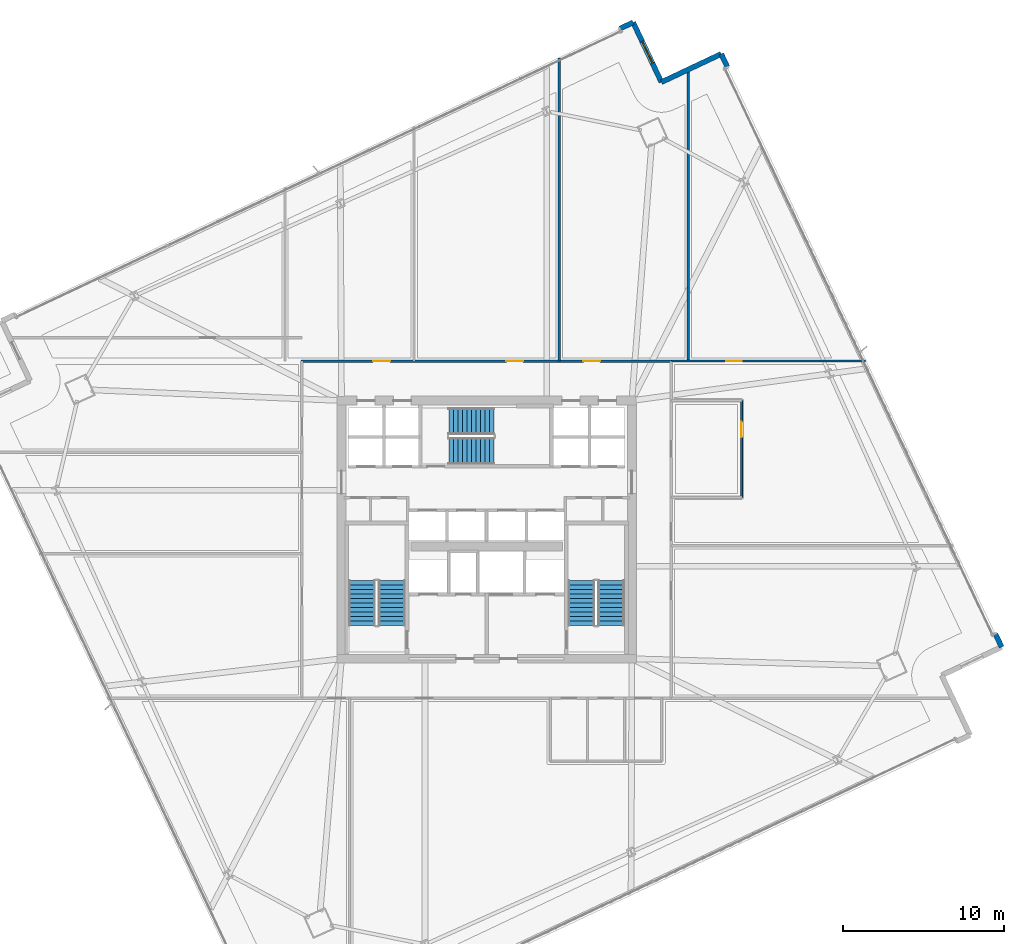
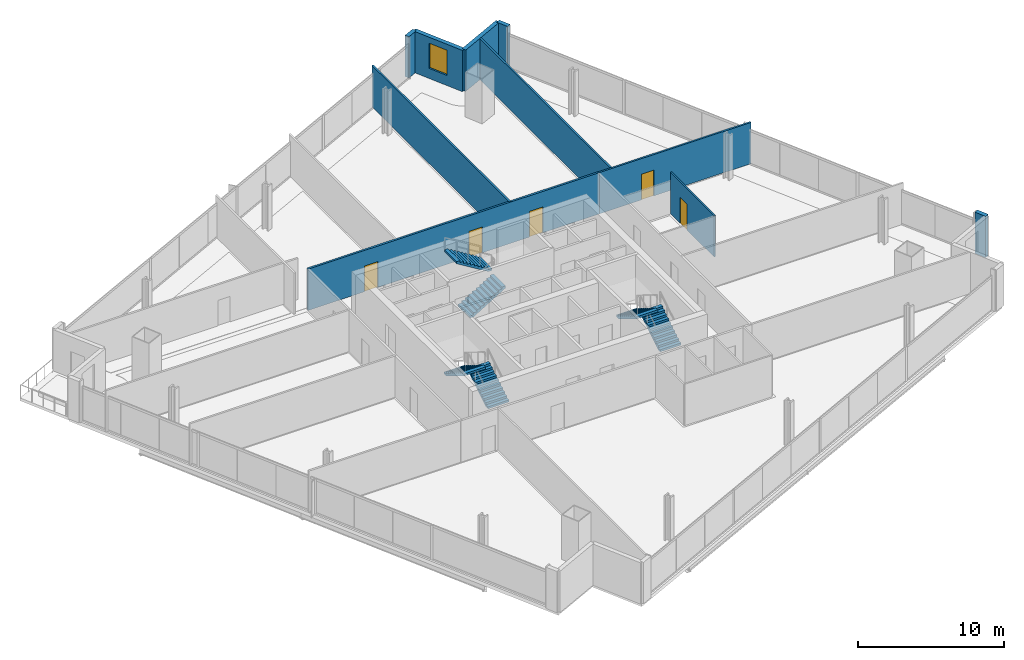
# One storey, part 28 of 34: 10 walls, 6 stair flights, 5 doors, 1 window, 6 openings, 3 elements without a shape of their own.
"""IFC4 building model written with IfcOpenShell, lengths in metres."""

from ifc_helpers import new_model, si_unit, direction, frame, frame_2d, origin, place, context, subcontext, project, spatial, polyline, rectangle, outline, extrude, material, layer, layer_set, type_object, element, fill, aggregate, save


model = new_model("IFC4")

# Units and contexts
model_context = context("Model", 3, precision=1e-05, world=origin(), true_north=direction((0.0, 1.0)))
body_context = subcontext(model_context, "Body", "Model", "MODEL_VIEW")
ifc_project = project(units=[si_unit("LENGTHUNIT", "METRE"), si_unit("AREAUNIT", "SQUARE_METRE"), si_unit("VOLUMEUNIT", "CUBIC_METRE"), si_unit("PLANEANGLEUNIT", "RADIAN"), si_unit("MASSUNIT", "GRAM", prefix="KILO")], contexts=[model_context])

# Site, building, storey
site_placement = place(None, origin())
site = spatial("IfcSite", under=ifc_project, at=site_placement, CompositionType="ELEMENT")
building_placement = place(site_placement, origin())
building = spatial("IfcBuilding", under=site, at=building_placement, Name="Haldenkirk Collegiate Tower", CompositionType="ELEMENT")
storey_placement = place(building_placement, frame((0.0, 0.0, 112.949951171875)))
storey = spatial("IfcBuildingStorey", under=building, at=storey_placement, Name="L27", CompositionType="ELEMENT", Elevation=112.949951171875)

# Walls
ifc_material_1 = material(Name="Precast concrete f'c 40 MPa", Category="concrete")
ifc_layer_1 = layer(ifc_material_1, 0.320068359375)
ifc_layer_set_1 = layer_set([ifc_layer_1], Name="Precast concrete f'c 40 MPa")
wall_type_1 = type_object("IfcWallType", Name="WL-EXT-TWR-320", PredefinedType="STANDARD", material=ifc_layer_set_1)
for number, where, z_axis, x_axis, name in (
    (1, (50.540771484375, 55.492919921875, 0.0), (0.0, 0.0, 1.0), (0.427246580432, -0.904135144494, 0.0), "L27 precast corner pier EL"),
    (2, (67.538818359375, 19.533203125, 0.0), (0.0, 0.0, 1.0), (0.427246580432, -0.904135144494, 0.0), "L27 precast corner pier ER"),
):
    element("IfcWall", number, at=place(storey_placement, frame(where, z_axis=z_axis, x_axis=x_axis)), inside=storey, type_object=wall_type_1, Name=name, PredefinedType="STANDARD", context=body_context, shape_type="SweptSolid", body=[
        extrude(rectangle(XDim=0.89990234375, YDim=0.320068359375, at=frame_2d((0.449951171875, 0.0))), origin(), (0.0, 0.0, 1.0), 3.449951171875),
    ])
wall_1_placement = place(storey_placement, frame((46.833984375, 53.74072265625, 0.0), z_axis=(0.0, 0.0, 1.0), x_axis=(0.904081887543, 0.427359264105, 0.0)))
element("IfcWall", 3, at=wall_1_placement, inside=storey, type_object=wall_type_1, Name="L27 bronze precast notch wall 05", PredefinedType="STANDARD", context=body_context, shape_type="SweptSolid", body=[
    extrude(rectangle(XDim=4.10009765625, YDim=0.320068359375, at=frame_2d((2.050048828125, 0.0))), origin(), (0.0, 0.0, 1.0), 3.449951171875),
])

# Wall, opening, window
wall_2_placement = place(storey_placement, frame((45.081787109375, 57.447509765625, 0.0), z_axis=(0.0, 0.0, 1.0), x_axis=(0.427359264105, -0.904081887543, 0.0)))
wall_2 = element("IfcWall", 4, at=wall_2_placement, inside=storey, type_object=wall_type_1, Name="L27 bronze precast notch wall 06", PredefinedType="STANDARD", context=body_context, shape_type="SweptSolid", body=[
    extrude(rectangle(XDim=4.10009765625, YDim=0.320068359375, at=frame_2d((2.050048828125, 0.0))), origin(), (0.0, 0.0, 1.0), 3.449951171875),
])
opening_1_placement = place(wall_2_placement, frame((1.300048828125, 0.0, 0.85009765625)))
opening_1 = element("IfcOpeningElement", 5, at=opening_1_placement, cuts=wall_2, Name="Opening W-04", PredefinedType="OPENING", context=body_context, shape_type="SweptSolid", body=[
    extrude(rectangle(XDim=1.5, YDim=2.10009765625, at=frame_2d((0.75, 1.050048828125))), frame((0.0, 0.169921875, 0.0), z_axis=(0.0, -1.0, 0.0), x_axis=(1.0, 0.0, 0.0)), (0.0, 0.0, 1.0), 0.340087890625),
])
ifc_material_2 = material(Name="Low-E argon triple insulating glass", Category="glass")
ifc_layer_2 = layer(ifc_material_2, 0.090087890625)
ifc_layer_set_2 = layer_set([ifc_layer_2], Name="Low-E argon triple insulating glass")
window_type = type_object("IfcWindowType", Name="WN-Z2-1500X2100", PartitioningType="SINGLE_PANEL", PredefinedType="WINDOW", material=ifc_layer_set_2)
window_placement = place(opening_1_placement, origin())
window = element("IfcWindow", 6, at=window_placement, inside=storey, type_object=window_type, Name="L27 precast-frame academic window 5", OverallHeight=2.10009765625, OverallWidth=1.5, PartitioningType="SINGLE_PANEL", PredefinedType="WINDOW", context=body_context, shape_type="SweptSolid", body=[
    extrude(rectangle(XDim=1.5, YDim=2.10009765625, at=frame_2d((0.75, 1.050048828125))), frame((0.0, 0.030029296875, 0.0), z_axis=(0.0, -1.0, 0.0), x_axis=(1.0, 0.0, 0.0)), (0.0, 0.0, 1.0), 0.06005859375),
])
fill(opening_1, window)

# Wall
wall_3_placement = place(storey_placement, frame((44.26806640625, 57.06298828125, 0.0), z_axis=(0.0, 0.0, 1.0), x_axis=(0.904135144494, 0.427246580432, 0.0)))
element("IfcWall", 7, at=wall_3_placement, inside=storey, type_object=wall_type_1, Name="L27 precast corner pier NR", PredefinedType="STANDARD", context=body_context, shape_type="SweptSolid", body=[
    extrude(rectangle(XDim=0.89990234375, YDim=0.320068359375, at=frame_2d((0.449951171875, 0.0))), origin(), (0.0, 0.0, 1.0), 3.449951171875),
])

# Wall, openings, doors
ifc_material_3 = material(Name="Acoustic fire-rated gypsum partition", Category="concrete")
ifc_layer_3 = layer(ifc_material_3, 0.159912109375)
ifc_layer_set_3 = layer_set([ifc_layer_3], Name="Acoustic fire-rated gypsum partition")
wall_type_2 = type_object("IfcWallType", Name="WL-INT-CORR-160", PredefinedType="PARTITIONING", material=ifc_layer_set_3)
wall_4_placement = place(storey_placement, frame((24.5, 36.449951171875, 0.0), z_axis=(0.0, 0.0, 1.0), x_axis=(1.0, 0.0, 0.0)))
wall_4 = element("IfcWall", 8, at=wall_4_placement, inside=storey, type_object=wall_type_2, Name="L27 interior partition IW-L27-CN", PredefinedType="PARTITIONING", context=body_context, shape_type="SweptSolid", body=[
    extrude(rectangle(XDim=23.0, YDim=0.159912109375, at=frame_2d((11.5, 0.0))), origin(), (0.0, 0.0, 1.0), 3.449951171875),
])
opening_2_placement = place(wall_4_placement, frame((4.4609375, 0.0, 0.0)))
opening_2 = element("IfcOpeningElement", 9, at=opening_2_placement, cuts=wall_4, Name="Opening D-09", PredefinedType="OPENING", context=body_context, shape_type="SweptSolid", body=[
    extrude(rectangle(XDim=1.050048828125, YDim=2.14990234375, at=frame_2d((0.52490234375, 1.074951171875))), frame((0.0, 0.08984375, 0.0), z_axis=(0.0, -1.0, 0.0), x_axis=(1.0, 0.0, 0.0)), (0.0, 0.0, 1.0), 0.179931640625),
])
opening_3_placement = place(wall_4_placement, frame((12.715087890625, 0.0, 0.0)))
opening_3 = element("IfcOpeningElement", 10, at=opening_3_placement, cuts=wall_4, Name="Opening D-09", PredefinedType="OPENING", context=body_context, shape_type="SweptSolid", body=[
    extrude(rectangle(XDim=1.050048828125, YDim=2.14990234375, at=frame_2d((0.52490234375, 1.074951171875))), frame((0.0, 0.08984375, 0.0), z_axis=(0.0, -1.0, 0.0), x_axis=(1.0, 0.0, 0.0)), (0.0, 0.0, 1.0), 0.179931640625),
])
opening_4_placement = place(wall_4_placement, frame((17.489013671875, 0.0, 0.0)))
opening_4 = element("IfcOpeningElement", 11, at=opening_4_placement, cuts=wall_4, Name="Opening D-09", PredefinedType="OPENING", context=body_context, shape_type="SweptSolid", body=[
    extrude(rectangle(XDim=1.050048828125, YDim=2.14990234375, at=frame_2d((0.52490234375, 1.074951171875))), frame((0.0, 0.08984375, 0.0), z_axis=(0.0, -1.0, 0.0), x_axis=(1.0, 0.0, 0.0)), (0.0, 0.0, 1.0), 0.179931640625),
])
ifc_material_4 = material(Name="Solid-core architectural oak fire door", Category="wood")
ifc_layer_4 = layer(ifc_material_4, 0.06005859375)
ifc_layer_set_4 = layer_set([ifc_layer_4], Name="Solid-core architectural oak fire door")
door_type_1 = type_object("IfcDoorType", Name="DR-INT-FD60-1050", OperationType="NOTDEFINED", PredefinedType="DOOR", material=ifc_layer_set_4)
door_1_placement = place(opening_2_placement, origin())
door_1 = element("IfcDoor", 12, at=door_1_placement, inside=storey, type_object=door_type_1, Name="L27 Material Specimen Store 4 door", OperationType="SINGLE_SWING_LEFT", OverallHeight=2.14990234375, OverallWidth=1.050048828125, PredefinedType="DOOR", context=body_context, shape_type="SweptSolid", body=[
    extrude(rectangle(XDim=1.050048828125, YDim=2.14990234375, at=frame_2d((0.52490234375, 1.074951171875))), frame((0.0, 0.02490234375, 0.0), z_axis=(0.0, -1.0, 0.0), x_axis=(1.0, 0.0, 0.0)), (0.0, 0.0, 1.0), 0.050048828125),
])
fill(opening_2, door_1)
door_2_placement = place(opening_3_placement, origin())
door_2 = element("IfcDoor", 13, at=door_2_placement, inside=storey, type_object=door_type_1, Name="L27 Departmental Archive 5 door", OperationType="SINGLE_SWING_RIGHT", OverallHeight=2.14990234375, OverallWidth=1.050048828125, PredefinedType="DOOR", context=body_context, shape_type="SweptSolid", body=[
    extrude(rectangle(XDim=1.050048828125, YDim=2.14990234375, at=frame_2d((0.52490234375, 1.074951171875))), frame((0.0, 0.02490234375, 0.0), z_axis=(0.0, -1.0, 0.0), x_axis=(1.0, 0.0, 0.0)), (0.0, 0.0, 1.0), 0.050048828125),
])
fill(opening_3, door_2)
door_3_placement = place(opening_4_placement, origin())
door_3 = element("IfcDoor", 14, at=door_3_placement, inside=storey, type_object=door_type_1, Name="L27 Cleanroom Prep Store 6 door", OperationType="SINGLE_SWING_LEFT", OverallHeight=2.14990234375, OverallWidth=1.050048828125, PredefinedType="DOOR", context=body_context, shape_type="SweptSolid", body=[
    extrude(rectangle(XDim=1.050048828125, YDim=2.14990234375, at=frame_2d((0.52490234375, 1.074951171875))), frame((0.0, 0.02490234375, 0.0), z_axis=(0.0, -1.0, 0.0), x_axis=(1.0, 0.0, 0.0)), (0.0, 0.0, 1.0), 0.050048828125),
])
fill(opening_4, door_3)

# Wall, opening, door
ifc_layer_5 = layer(ifc_material_3, 0.139892578125)
ifc_layer_set_5 = layer_set([ifc_layer_5], Name="Acoustic fire-rated gypsum partition")
wall_type_3 = type_object("IfcWallType", Name="WL-INT-DIV-140", PredefinedType="PARTITIONING", material=ifc_layer_set_5)
wall_5_placement = place(storey_placement, frame((47.449951171875, 36.449951171875, 0.0), z_axis=(0.0, 0.0, 1.0), x_axis=(1.0, 0.0, 0.0)))
wall_5 = element("IfcWall", 15, at=wall_5_placement, inside=storey, type_object=wall_type_3, Name="L27 interior partition IW-L27-BEN", PredefinedType="PARTITIONING", context=body_context, shape_type="SweptSolid", body=[
    extrude(rectangle(XDim=12.048095703125, YDim=0.139892578125, at=frame_2d((6.02392578125, 0.0))), origin(), (0.0, 0.0, 1.0), 3.449951171875),
])
opening_5_placement = place(wall_5_placement, frame((3.408935546875, 0.0, 0.0)))
opening_5 = element("IfcOpeningElement", 16, at=opening_5_placement, cuts=wall_5, Name="Opening D-12", PredefinedType="OPENING", context=body_context, shape_type="SweptSolid", body=[
    extrude(rectangle(XDim=0.949951171875, YDim=2.14990234375, at=frame_2d((0.47509765625, 1.074951171875))), frame((0.0, 0.079833984375, 0.0), z_axis=(0.0, -1.0, 0.0), x_axis=(1.0, 0.0, 0.0)), (0.0, 0.0, 1.0), 0.159912109375),
])
ifc_layer_6 = layer(ifc_material_4, 0.06005859375)
ifc_layer_set_6 = layer_set([ifc_layer_6], Name="Solid-core architectural oak fire door")
door_type_2 = type_object("IfcDoorType", Name="DR-INT-STD-950", OperationType="NOTDEFINED", PredefinedType="DOOR", material=ifc_layer_set_6)
door_4_placement = place(opening_5_placement, origin())
door_4 = element("IfcDoor", 17, at=door_4_placement, inside=storey, type_object=door_type_2, Name="L27 Special Collections Archive 7 door", OperationType="SINGLE_SWING_RIGHT", OverallHeight=2.14990234375, OverallWidth=0.949951171875, PredefinedType="DOOR", context=body_context, shape_type="SweptSolid", body=[
    extrude(rectangle(XDim=0.949951171875, YDim=2.14990234375, at=frame_2d((0.47509765625, 1.074951171875))), frame((0.0, 0.02490234375, 0.0), z_axis=(0.0, -1.0, 0.0), x_axis=(1.0, 0.0, 0.0)), (0.0, 0.0, 1.0), 0.050048828125),
])
fill(opening_5, door_4)

# Walls
wall_6_placement = place(storey_placement, frame((40.5, 36.449951171875, 0.0), z_axis=(0.0, 0.0, 1.0), x_axis=(0.0, 1.0, 0.0)))
element("IfcWall", 18, at=wall_6_placement, inside=storey, type_object=wall_type_3, Name="L27 interior partition IW-L27-RN3", PredefinedType="PARTITIONING", context=body_context, shape_type="SweptSolid", body=[
    extrude(rectangle(XDim=18.78759765625, YDim=0.139892578125, at=frame_2d((9.393798828125, 0.0))), origin(), (0.0, 0.0, 1.0), 3.449951171875),
])
wall_7_placement = place(storey_placement, frame((48.5, 36.449951171875, 0.0), z_axis=(0.0, 0.0, 1.0), x_axis=(0.0, 1.0, 0.0)))
element("IfcWall", 19, at=wall_7_placement, inside=storey, type_object=wall_type_3, Name="L27 interior partition IW-L27-RN4", PredefinedType="PARTITIONING", context=body_context, shape_type="SweptSolid", body=[
    extrude(rectangle(XDim=18.0341796875, YDim=0.139892578125, at=frame_2d((9.01708984375, 0.0))), origin(), (0.0, 0.0, 1.0), 3.449951171875),
])

# Wall, opening, door
ifc_layer_7 = layer(ifc_material_3, 0.1201171875)
ifc_layer_set_7 = layer_set([ifc_layer_7], Name="Acoustic fire-rated gypsum partition")
wall_type_4 = type_object("IfcWallType", Name="WL-INT-WET-120", PredefinedType="PARTITIONING", material=ifc_layer_set_7)
wall_8_placement = place(storey_placement, frame((51.800048828125, 28.0, 0.0), z_axis=(0.0, 0.0, 1.0), x_axis=(0.0, 1.0, 0.0)))
wall_8 = element("IfcWall", 20, at=wall_8_placement, inside=storey, type_object=wall_type_4, Name="L27 interior partition IW-L27-SUBE", PredefinedType="PARTITIONING", context=body_context, shape_type="SweptSolid", body=[
    extrude(rectangle(XDim=6.0, YDim=0.1201171875, at=frame_2d((3.0, 0.0))), origin(), (0.0, 0.0, 1.0), 3.449951171875),
])
opening_6_placement = place(wall_8_placement, frame((3.72509765625, 0.0, 0.0)))
opening_6 = element("IfcOpeningElement", 21, at=opening_6_placement, cuts=wall_8, Name="Opening D-12", PredefinedType="OPENING", context=body_context, shape_type="SweptSolid", body=[
    extrude(rectangle(XDim=0.949951171875, YDim=2.14990234375, at=frame_2d((0.47509765625, 1.074951171875))), frame((0.0, 0.070068359375, 0.0), z_axis=(0.0, -1.0, 0.0), x_axis=(1.0, 0.0, 0.0)), (0.0, 0.0, 1.0), 0.14013671875),
])
door_5_placement = place(opening_6_placement, origin())
door_5 = element("IfcDoor", 22, at=door_5_placement, inside=storey, type_object=door_type_2, Name="L27 East Graduate Study Pod suite door", OperationType="SINGLE_SWING_LEFT", OverallHeight=2.14990234375, OverallWidth=0.949951171875, PredefinedType="DOOR", context=body_context, shape_type="SweptSolid", body=[
    extrude(rectangle(XDim=0.949951171875, YDim=2.14990234375, at=frame_2d((0.47509765625, 1.074951171875))), frame((0.0, 0.02490234375, 0.0), z_axis=(0.0, -1.0, 0.0), x_axis=(1.0, 0.0, 0.0)), (0.0, 0.0, 1.0), 0.050048828125),
])
fill(opening_6, door_5)

# Stair, stair flights
ifc_material_5 = material(Name="Concrete f'c 40 MPa", Category="concrete")
stair_type = type_object("IfcStairType", Name="STR-DOGLEG-1650", PredefinedType="HALF_TURN_STAIR", material=ifc_material_5)
stair_1_placement = place(storey_placement, origin())
stair_1 = element("IfcStair", 23, at=stair_1_placement, inside=storey, type_object=stair_type, Name="L27 Core Exit Stair ST-1", PredefinedType="HALF_TURN_STAIR")
stair_flight_type = type_object("IfcStairFlightType", Name="STF-FLIGHT-1650", PredefinedType="STRAIGHT", material=ifc_material_5)
stair_flight_1_placement = place(storey_placement, frame((30.125, 20.050048828125, 0.0), z_axis=(0.0, 0.0, 1.0), x_axis=(0.0, 1.0, 0.0)))
stair_flight_1 = element("IfcStairFlight", 24, at=stair_flight_1_placement, type_object=stair_flight_type, Name="ST-1 flight 1", NumberOfRisers=11, NumberOfTreads=10, PredefinedType="STRAIGHT", RiserHeight=0.170454545, TreadLength=0.28, context=body_context, shape_type="SweptSolid", body=[
    extrude(outline(polyline([(0.0, 0.0), (0.0, 0.17041015625), (0.280029296875, 0.17041015625), (0.280029296875, 0.3408203125), (0.56005859375, 0.3408203125), (0.56005859375, 0.511474609375), (0.840087890625, 0.511474609375), (0.840087890625, 0.681884765625), (1.1201171875, 0.681884765625), (1.1201171875, 0.852294921875), (1.39990234375, 0.852294921875), (1.39990234375, 1.022705078125), (1.679931640625, 1.022705078125), (1.679931640625, 1.193115234375), (1.9599609375, 1.193115234375), (1.9599609375, 1.363525390625), (2.239990234375, 1.363525390625), (2.239990234375, 1.5341796875), (2.52001953125, 1.5341796875), (2.52001953125, 1.70458984375), (2.800048828125, 1.70458984375), (2.800048828125, 1.875), (2.800048828125, 1.529052734375), (0.288330078125, 0.0), (0.0, 0.0)])), frame((0.0, 0.824951171875, 0.0), z_axis=(0.0, -1.0, 0.0), x_axis=(1.0, 0.0, 0.0)), (0.0, 0.0, 1.0), 1.64990234375),
])
stair_flight_2_placement = place(storey_placement, frame((28.27490234375, 22.85009765625, 1.875), z_axis=(0.0, 0.0, 1.0), x_axis=(0.0, -1.0, 0.0)))
stair_flight_2 = element("IfcStairFlight", 25, at=stair_flight_2_placement, type_object=stair_flight_type, Name="ST-1 flight 2", NumberOfRisers=11, NumberOfTreads=10, PredefinedType="STRAIGHT", RiserHeight=0.170454545, TreadLength=0.28, context=body_context, shape_type="SweptSolid", body=[
    extrude(outline(polyline([(0.0, 0.0), (0.0, 0.17041015625), (0.280029296875, 0.17041015625), (0.280029296875, 0.3408203125), (0.56005859375, 0.3408203125), (0.56005859375, 0.511474609375), (0.840087890625, 0.511474609375), (0.840087890625, 0.681884765625), (1.1201171875, 0.681884765625), (1.1201171875, 0.852294921875), (1.39990234375, 0.852294921875), (1.39990234375, 1.022705078125), (1.679931640625, 1.022705078125), (1.679931640625, 1.193115234375), (1.9599609375, 1.193115234375), (1.9599609375, 1.363525390625), (2.239990234375, 1.363525390625), (2.239990234375, 1.5341796875), (2.52001953125, 1.5341796875), (2.52001953125, 1.70458984375), (2.800048828125, 1.70458984375), (2.800048828125, 1.875), (2.800048828125, 1.529052734375), (0.288330078125, 0.0), (0.0, 0.0)])), frame((0.0, 0.824951171875, 0.0), z_axis=(0.0, -1.0, 0.0), x_axis=(1.0, 0.0, 0.0)), (0.0, 0.0, 1.0), 1.64990234375),
])
aggregate(stair_1, [stair_flight_1, stair_flight_2])

stair_2_placement = place(storey_placement, origin())
stair_2 = element("IfcStair", 26, at=stair_2_placement, inside=storey, type_object=stair_type, Name="L27 Core Exit Stair ST-2", PredefinedType="HALF_TURN_STAIR")
stair_flight_3_placement = place(storey_placement, frame((43.72509765625, 20.050048828125, 0.0), z_axis=(0.0, 0.0, 1.0), x_axis=(0.0, 1.0, 0.0)))
stair_flight_3 = element("IfcStairFlight", 27, at=stair_flight_3_placement, type_object=stair_flight_type, Name="ST-2 flight 1", NumberOfRisers=11, NumberOfTreads=10, PredefinedType="STRAIGHT", RiserHeight=0.170454545, TreadLength=0.28, context=body_context, shape_type="SweptSolid", body=[
    extrude(outline(polyline([(0.0, 0.0), (0.0, 0.17041015625), (0.280029296875, 0.17041015625), (0.280029296875, 0.3408203125), (0.56005859375, 0.3408203125), (0.56005859375, 0.511474609375), (0.840087890625, 0.511474609375), (0.840087890625, 0.681884765625), (1.1201171875, 0.681884765625), (1.1201171875, 0.852294921875), (1.39990234375, 0.852294921875), (1.39990234375, 1.022705078125), (1.679931640625, 1.022705078125), (1.679931640625, 1.193115234375), (1.9599609375, 1.193115234375), (1.9599609375, 1.363525390625), (2.239990234375, 1.363525390625), (2.239990234375, 1.5341796875), (2.52001953125, 1.5341796875), (2.52001953125, 1.70458984375), (2.800048828125, 1.70458984375), (2.800048828125, 1.875), (2.800048828125, 1.529052734375), (0.288330078125, 0.0), (0.0, 0.0)])), frame((0.0, 0.824951171875, 0.0), z_axis=(0.0, -1.0, 0.0), x_axis=(1.0, 0.0, 0.0)), (0.0, 0.0, 1.0), 1.64990234375),
])
stair_flight_4_placement = place(storey_placement, frame((41.875, 22.85009765625, 1.875), z_axis=(0.0, 0.0, 1.0), x_axis=(0.0, -1.0, 0.0)))
stair_flight_4 = element("IfcStairFlight", 28, at=stair_flight_4_placement, type_object=stair_flight_type, Name="ST-2 flight 2", NumberOfRisers=11, NumberOfTreads=10, PredefinedType="STRAIGHT", RiserHeight=0.170454545, TreadLength=0.28, context=body_context, shape_type="SweptSolid", body=[
    extrude(outline(polyline([(0.0, 0.0), (0.0, 0.17041015625), (0.280029296875, 0.17041015625), (0.280029296875, 0.3408203125), (0.56005859375, 0.3408203125), (0.56005859375, 0.511474609375), (0.840087890625, 0.511474609375), (0.840087890625, 0.681884765625), (1.1201171875, 0.681884765625), (1.1201171875, 0.852294921875), (1.39990234375, 0.852294921875), (1.39990234375, 1.022705078125), (1.679931640625, 1.022705078125), (1.679931640625, 1.193115234375), (1.9599609375, 1.193115234375), (1.9599609375, 1.363525390625), (2.239990234375, 1.363525390625), (2.239990234375, 1.5341796875), (2.52001953125, 1.5341796875), (2.52001953125, 1.70458984375), (2.800048828125, 1.70458984375), (2.800048828125, 1.875), (2.800048828125, 1.529052734375), (0.288330078125, 0.0), (0.0, 0.0)])), frame((0.0, 0.824951171875, 0.0), z_axis=(0.0, -1.0, 0.0), x_axis=(1.0, 0.0, 0.0)), (0.0, 0.0, 1.0), 1.64990234375),
])
aggregate(stair_2, [stair_flight_3, stair_flight_4])

stair_3_placement = place(storey_placement, origin())
stair_3 = element("IfcStair", 29, at=stair_3_placement, inside=storey, type_object=stair_type, Name="L27 Core Exit Stair ST-3", PredefinedType="HALF_TURN_STAIR")
stair_flight_5_placement = place(storey_placement, frame((33.64990234375, 30.875, 0.0), z_axis=(0.0, 0.0, 1.0), x_axis=(1.0, 0.0, 0.0)))
stair_flight_5 = element("IfcStairFlight", 30, at=stair_flight_5_placement, type_object=stair_flight_type, Name="ST-3 flight 1", NumberOfRisers=11, NumberOfTreads=10, PredefinedType="STRAIGHT", RiserHeight=0.170454545, TreadLength=0.28, context=body_context, shape_type="SweptSolid", body=[
    extrude(outline(polyline([(0.0, 0.0), (0.0, 0.17041015625), (0.280029296875, 0.17041015625), (0.280029296875, 0.3408203125), (0.56005859375, 0.3408203125), (0.56005859375, 0.511474609375), (0.840087890625, 0.511474609375), (0.840087890625, 0.681884765625), (1.1201171875, 0.681884765625), (1.1201171875, 0.852294921875), (1.39990234375, 0.852294921875), (1.39990234375, 1.022705078125), (1.679931640625, 1.022705078125), (1.679931640625, 1.193115234375), (1.9599609375, 1.193115234375), (1.9599609375, 1.363525390625), (2.239990234375, 1.363525390625), (2.239990234375, 1.5341796875), (2.52001953125, 1.5341796875), (2.52001953125, 1.70458984375), (2.800048828125, 1.70458984375), (2.800048828125, 1.875), (2.800048828125, 1.529052734375), (0.288330078125, 0.0), (0.0, 0.0)])), frame((0.0, 0.824951171875, 0.0), z_axis=(0.0, -1.0, 0.0), x_axis=(1.0, 0.0, 0.0)), (0.0, 0.0, 1.0), 1.64990234375),
])
stair_flight_6_placement = place(storey_placement, frame((36.449951171875, 32.72509765625, 1.875), z_axis=(0.0, 0.0, 1.0), x_axis=(-1.0, 0.0, 0.0)))
stair_flight_6 = element("IfcStairFlight", 31, at=stair_flight_6_placement, type_object=stair_flight_type, Name="ST-3 flight 2", NumberOfRisers=11, NumberOfTreads=10, PredefinedType="STRAIGHT", RiserHeight=0.170454545, TreadLength=0.28, context=body_context, shape_type="SweptSolid", body=[
    extrude(outline(polyline([(0.0, 0.0), (0.0, 0.17041015625), (0.280029296875, 0.17041015625), (0.280029296875, 0.3408203125), (0.56005859375, 0.3408203125), (0.56005859375, 0.511474609375), (0.840087890625, 0.511474609375), (0.840087890625, 0.681884765625), (1.1201171875, 0.681884765625), (1.1201171875, 0.852294921875), (1.39990234375, 0.852294921875), (1.39990234375, 1.022705078125), (1.679931640625, 1.022705078125), (1.679931640625, 1.193115234375), (1.9599609375, 1.193115234375), (1.9599609375, 1.363525390625), (2.239990234375, 1.363525390625), (2.239990234375, 1.5341796875), (2.52001953125, 1.5341796875), (2.52001953125, 1.70458984375), (2.800048828125, 1.70458984375), (2.800048828125, 1.875), (2.800048828125, 1.529052734375), (0.288330078125, 0.0), (0.0, 0.0)])), frame((0.0, 0.824951171875, 0.0), z_axis=(0.0, -1.0, 0.0), x_axis=(1.0, 0.0, 0.0)), (0.0, 0.0, 1.0), 1.64990234375),
])
aggregate(stair_3, [stair_flight_5, stair_flight_6])

save(model, "model.ifc")
